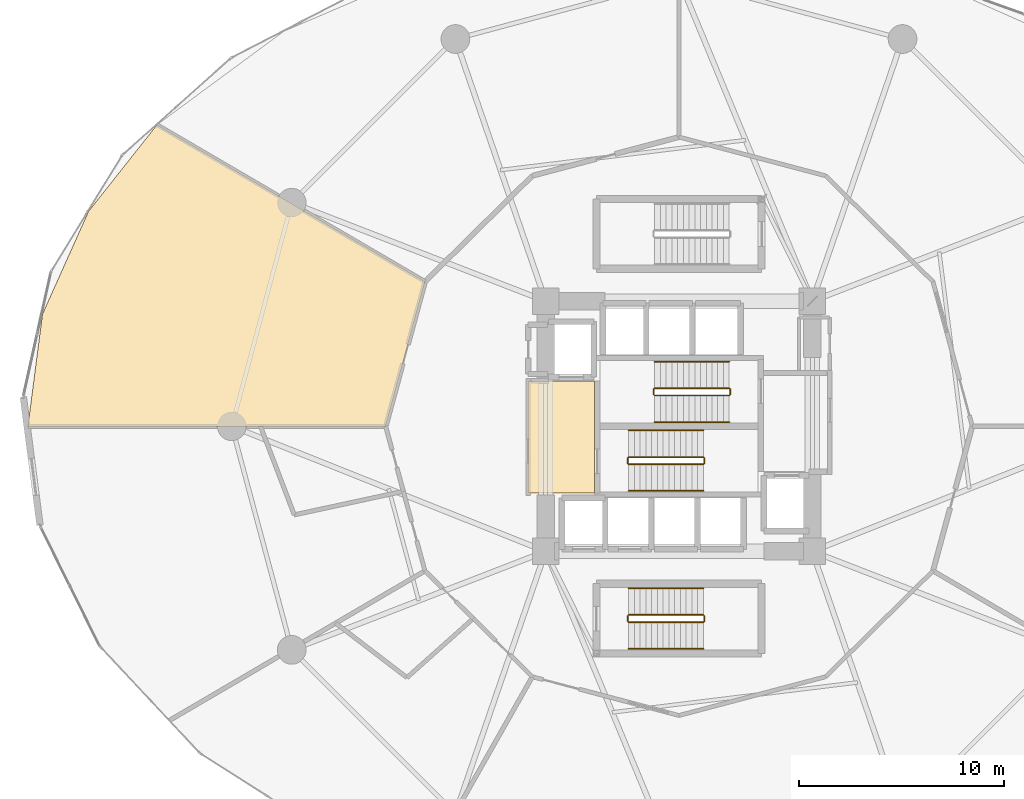
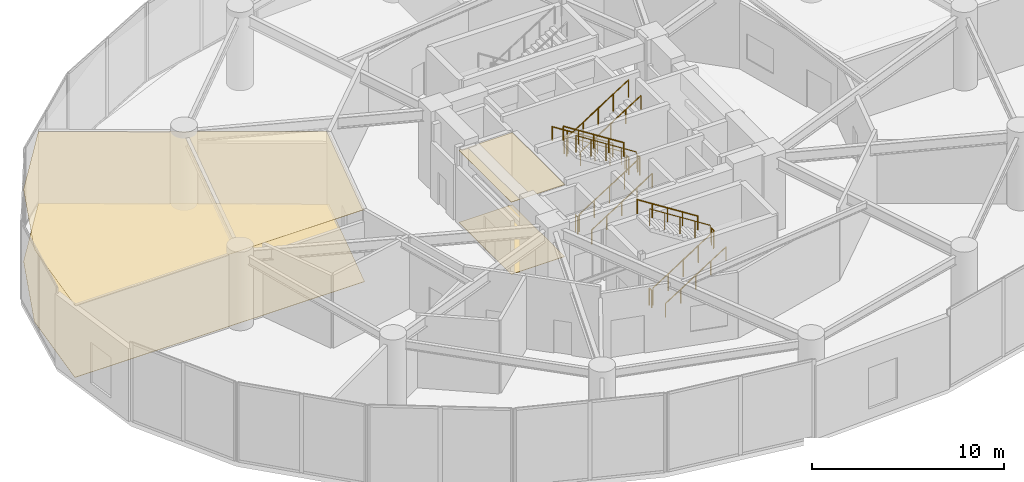
# One storey, part 29 of 31: 18 railings, 4 coverings.
"""IFC4 building model written with IfcOpenShell, lengths in metres."""

import ifcopenshell
import ifcopenshell.guid

model = None  # the IFC model being written
_history = None  # IfcOwnerHistory: only IFC2X3 demands one
_inside = {}  # id of a spatial element -> (the spatial element, [elements in it])
_under = {}  # id of a project, library or spatial element -> (it, [spatial elements below it])
_declared = {}  # id of a project -> (the project, [libraries it declares])
_typed = {}  # id of a type object -> (the type object, [elements of that type])
_made_of = {}  # id of a material, layer set ... -> (it, [elements and type objects made of it])


def new_model(schema):
    """Start an empty IFC model of exactly this schema.

    Asked for "IFC4X3", IfcOpenShell would pick the latest addendum, in which some entities
    have other attributes; the version numbers below select the first issue.
    IFC2X3 requires an IfcOwnerHistory on every rooted entity: one is made here for all.
    """
    global model, _history
    if schema == "IFC4X3":
        model = ifcopenshell.file(schema_version=(4, 3, 0, 0))
    else:
        model = ifcopenshell.file(schema=schema)
    _inside.clear()
    _under.clear()
    _declared.clear()
    _typed.clear()
    _made_of.clear()
    _history = None
    if model.schema == "IFC2X3":
        org = make("IfcOrganization", Name="unknown")
        user = make(
            "IfcPersonAndOrganization",
            ThePerson=make("IfcPerson", FamilyName="unknown"),
            TheOrganization=org,
        )
        app = make(
            "IfcApplication",
            ApplicationDeveloper=org,
            Version="unknown",
            ApplicationFullName="unknown",
            ApplicationIdentifier="unknown",
        )
        _history = make(
            "IfcOwnerHistory",
            OwningUser=user,
            OwningApplication=app,
            ChangeAction="ADDED",
            CreationDate=0,
        )
    return model


def make(cls, **values):
    """One entity of the class cls with the attributes given. An attribute that is None is left unset."""
    return model.create_entity(
        cls, **{name: value for name, value in values.items() if value is not None}
    )


def rooted(cls, **values):
    """An entity with a GlobalId (a new one), such as an element, a storey or a relation."""
    return make(cls, GlobalId=ifcopenshell.guid.new(), OwnerHistory=_history, **values)


def si_unit(unit_type, name, prefix=None):
    """IfcSIUnit, for example si_unit("LENGTHUNIT", "METRE", prefix="MILLI")."""
    return make("IfcSIUnit", UnitType=unit_type, Prefix=prefix, Name=name)


def assignment(units):
    """IfcUnitAssignment: the units of a project."""
    return None if units is None else make("IfcUnitAssignment", Units=units)


def point(xyz):
    """IfcCartesianPoint."""
    return None if xyz is None else make("IfcCartesianPoint", Coordinates=xyz)


def direction(xyz):
    """IfcDirection."""
    return None if xyz is None else make("IfcDirection", DirectionRatios=xyz)


def frame(location, z_axis=None, x_axis=None):
    """IfcAxis2Placement3D, a coordinate frame: its origin and axes. An axis left out is left unset."""
    return make(
        "IfcAxis2Placement3D",
        Location=point(location),
        Axis=direction(z_axis),
        RefDirection=direction(x_axis),
    )


def frame_2d(location, x_axis=None):
    """IfcAxis2Placement2D, a coordinate frame in the plane: its origin and x axis."""
    return make(
        "IfcAxis2Placement2D", Location=point(location), RefDirection=direction(x_axis)
    )


def origin():
    """The frame at (0, 0, 0) with its axes left unset."""
    return frame((0.0, 0.0, 0.0))


def origin_2d():
    """The frame at (0, 0) in the plane with its x axis left unset."""
    return frame_2d((0.0, 0.0))


def place(relative_to, where):
    """IfcLocalPlacement: puts the frame where relative to a parent placement (None: the world)."""
    return make(
        "IfcLocalPlacement", PlacementRelTo=relative_to, RelativePlacement=where
    )


def context(
    kind, dimensions, precision=None, world=None, true_north=None, identifier=None
):
    """IfcGeometricRepresentationContext, for example the 3D "Model" context."""
    return make(
        "IfcGeometricRepresentationContext",
        ContextIdentifier=identifier,
        ContextType=kind,
        CoordinateSpaceDimension=dimensions,
        Precision=precision,
        WorldCoordinateSystem=world,
        TrueNorth=true_north,
    )


def subcontext(parent, identifier, kind, view, scale=None):
    """IfcGeometricRepresentationSubContext, for example "Body" below "Model"."""
    return make(
        "IfcGeometricRepresentationSubContext",
        ContextIdentifier=identifier,
        ContextType=kind,
        ParentContext=parent,
        TargetScale=scale,
        TargetView=view,
    )


def project(units=None, contexts=None):
    """IfcProject with its units and contexts."""
    return rooted(
        "IfcProject",
        Name="project",
        RepresentationContexts=contexts,
        UnitsInContext=assignment(units),
    )


def spatial(cls, under=None, at=None, **own):
    """A site, building, storey or space (cls), placed at a placement, below another one or the project."""
    s = rooted(cls, ObjectPlacement=at, **own)
    if under is not None:
        _under.setdefault(under.id(), (under, []))[1].append(s)
    return s


def polyline(points):
    """IfcPolyline through the points."""
    return make("IfcPolyline", Points=[point(p) for p in points])


def profile(cls, at=None, kind="AREA", **sizes):
    """A parametric profile (cls). Its sizes go by their IFC names, for example OverallWidth=200.0."""
    return make(cls, ProfileType=kind, Position=at, **sizes)


def circle(**sizes):
    """IfcCircleProfileDef."""
    return profile("IfcCircleProfileDef", **sizes)


def outline(outer, holes=None, kind="AREA"):
    """IfcArbitraryClosedProfileDef: a profile drawn as a closed curve; with holes, ...WithVoids."""
    if holes is None:
        return make("IfcArbitraryClosedProfileDef", ProfileType=kind, OuterCurve=outer)
    return make(
        "IfcArbitraryProfileDefWithVoids",
        ProfileType=kind,
        OuterCurve=outer,
        InnerCurves=holes,
    )


def extrude(swept, where, along, depth):
    """IfcExtrudedAreaSolid: the profile swept, set in the frame where, extruded along a direction by depth."""
    return make(
        "IfcExtrudedAreaSolid",
        SweptArea=swept,
        Position=where,
        ExtrudedDirection=direction(along),
        Depth=depth,
    )


def shape(context_of_items, identifier, shape_type, items):
    """IfcShapeRepresentation: the items that make up one representation, for example the "Body"."""
    return make(
        "IfcShapeRepresentation",
        ContextOfItems=context_of_items,
        RepresentationIdentifier=identifier,
        RepresentationType=shape_type,
        Items=items,
    )


def material(Name=None, Category=None):
    """IfcMaterial."""
    return make("IfcMaterial", Name=Name, Category=Category)


def layer(
    of_material, thickness, ventilated=None, Name=None, Category=None, Priority=None
):
    """IfcMaterialLayer: one layer of a wall or slab, of a material (None: an air gap)."""
    return make(
        "IfcMaterialLayer",
        Material=of_material,
        LayerThickness=thickness,
        IsVentilated=ventilated,
        Name=Name,
        Category=Category,
        Priority=Priority,
    )


def layer_set(layers, Name=None):
    """IfcMaterialLayerSet."""
    return make("IfcMaterialLayerSet", MaterialLayers=layers, LayerSetName=Name)


def made_of(thing, what):
    """Note that an element or type object is made of a material, layer set ...; save() writes the relation."""
    if what is not None:
        _made_of.setdefault(what.id(), (what, []))[1].append(thing)
    return thing


def type_object(cls, material=None, **own):
    """A type object (cls), such as IfcWallType, which elements share."""
    return made_of(rooted(cls, **own), material)


def element(
    cls,
    number,
    at=None,
    inside=None,
    cuts=None,
    type_object=None,
    material=None,
    context=None,
    identifier="Body",
    shape_type=None,
    held_by="IfcProductDefinitionShape",
    body=None,
    shapes=None,
    **own,
):
    """One element of the class cls, such as IfcWall. Its Tag is "e" and its number.

    at: its placement. inside: the storey or other place that contains it. cuts: it is an
    opening in that element (IfcRelVoidsElement). A single representation is given by context,
    identifier, shape_type and body (its items); several are given by shapes. held_by: the class
    of the entity that holds the representations. save() writes the other relations.
    """
    e = rooted(cls, Tag="e%d" % number, ObjectPlacement=at, **own)
    if body is not None:
        shapes = [shape(context, identifier, shape_type, body)]
    if shapes is not None:
        e.Representation = make(held_by, Representations=shapes)
    if inside is not None:
        _inside.setdefault(inside.id(), (inside, []))[1].append(e)
    if cuts is not None:
        rooted(
            "IfcRelVoidsElement", RelatingBuildingElement=cuts, RelatedOpeningElement=e
        )
    if type_object is not None:
        _typed.setdefault(type_object.id(), (type_object, []))[1].append(e)
    return made_of(e, material)


def aggregate(whole, parts):
    """IfcRelAggregates: a whole, such as a stair, and the parts it consists of."""
    return rooted("IfcRelAggregates", RelatingObject=whole, RelatedObjects=parts)


def save(model, path):
    """Write the relations noted so far, then the file.

    IfcRelAggregates (storeys below a building ...), IfcRelContainedInSpatialStructure (elements
    in a storey), IfcRelDefinesByType, IfcRelAssociatesMaterial and IfcRelDeclares: one each for
    every whole, place, type object, material and project.
    """
    for whole, parts in _under.values():
        aggregate(whole, parts)
    for where, things in _inside.values():
        rooted(
            "IfcRelContainedInSpatialStructure",
            RelatedElements=things,
            RelatingStructure=where,
        )
    for kind, things in _typed.values():
        rooted("IfcRelDefinesByType", RelatedObjects=things, RelatingType=kind)
    for what, things in _made_of.values():
        rooted("IfcRelAssociatesMaterial", RelatedObjects=things, RelatingMaterial=what)
    for by, libraries in _declared.values():
        rooted("IfcRelDeclares", RelatingContext=by, RelatedDefinitions=libraries)
    model.write(path)


model = new_model("IFC4")

# Units and contexts
model_context = context("Model", 3, precision=1e-05, world=origin(), true_north=direction((0.0, 1.0)))
body_context = subcontext(model_context, "Body", "Model", "MODEL_VIEW")
ifc_project = project(units=[si_unit("LENGTHUNIT", "METRE"), si_unit("AREAUNIT", "SQUARE_METRE"), si_unit("VOLUMEUNIT", "CUBIC_METRE"), si_unit("PLANEANGLEUNIT", "RADIAN"), si_unit("MASSUNIT", "GRAM", prefix="KILO")], contexts=[model_context])

# Site, building, storey
site_placement = place(None, origin())
site = spatial("IfcSite", under=ifc_project, at=site_placement, CompositionType="ELEMENT")
building_placement = place(site_placement, origin())
building = spatial("IfcBuilding", under=site, at=building_placement, Name="Solvirekh Grand Hotel", CompositionType="ELEMENT")
storey_placement = place(building_placement, frame((0.0, 0.0, 18.60009765625)))
storey = spatial("IfcBuildingStorey", under=building, at=storey_placement, Name="L03", CompositionType="ELEMENT", Elevation=18.60009765625)

# Coverings
ifc_material_1 = material(Name="Acoustic Mineral Ceiling Tile")
ifc_layer_1 = layer(ifc_material_1, 0.02490234375)
ifc_layer_set_1 = layer_set([ifc_layer_1], Name="Acoustic Mineral Ceiling Tile")
covering_type_1 = type_object("IfcCoveringType", Name="Cov_Ceiling_Acoustic", PredefinedType="CEILING", material=ifc_layer_set_1)
covering_1_placement = place(storey_placement, frame((0.0, 0.0, 4.58984375)))
element("IfcCovering", 1, at=covering_1_placement, inside=storey, type_object=covering_type_1, Name="L03 Firefighting Lobby West acoustic ceiling", PredefinedType="CEILING", context=body_context, shape_type="SweptSolid", body=[
    extrude(outline(polyline([(-7.35009765625, -3.25), (-4.1298828125, -3.25), (-4.1298828125, 2.2099609375), (-7.35009765625, 2.2099609375), (-7.35009765625, -3.25)])), origin(), (0.0, 0.0, 1.0), 0.01806640625),
])
covering_2_placement = place(storey_placement, frame((0.0, 0.0, 4.58984375)))
element("IfcCovering", 2, at=covering_2_placement, inside=storey, type_object=covering_type_1, Name="L03 Business Centre & Press Secretariat acoustic ceiling", PredefinedType="CEILING", context=body_context, shape_type="SweptSolid", body=[
    extrude(outline(polyline([(-25.449951171875, 14.693115234375), (-28.785888671875, 10.47705078125), (-31.030029296875, 5.470947265625), (-31.741943359375, 0.0), (-14.300048828125, 0.0), (-12.384033203125, 7.050048828125), (-25.449951171875, 14.693115234375)])), origin(), (0.0, 0.0, 1.0), 0.01806640625),
])
ifc_material_2 = material(Name="Porcelain Stoneware Flooring", Category="masonry")
ifc_layer_2 = layer(ifc_material_2, 0.030029296875)
ifc_layer_set_2 = layer_set([ifc_layer_2], Name="Porcelain Stoneware Flooring")
covering_type_2 = type_object("IfcCoveringType", Name="Cov_Floor_Stone", PredefinedType="FLOORING", material=ifc_layer_set_2)
covering_3_placement = place(storey_placement, origin())
element("IfcCovering", 3, at=covering_3_placement, inside=storey, type_object=covering_type_2, Name="L03 Firefighting Lobby West polished granite flooring", PredefinedType="FLOORING", context=body_context, shape_type="SweptSolid", body=[
    extrude(outline(polyline([(-7.35009765625, -3.25), (-4.1298828125, -3.25), (-4.1298828125, 2.2099609375), (-7.35009765625, 2.2099609375), (-7.35009765625, -3.25)])), origin(), (0.0, 0.0, 1.0), 0.02001953125),
])
covering_4_placement = place(storey_placement, origin())
element("IfcCovering", 4, at=covering_4_placement, inside=storey, type_object=covering_type_2, Name="L03 Business Centre & Press Secretariat polished granite flooring", PredefinedType="FLOORING", context=body_context, shape_type="SweptSolid", body=[
    extrude(outline(polyline([(-25.449951171875, 14.693115234375), (-28.785888671875, 10.47705078125), (-31.030029296875, 5.470947265625), (-31.741943359375, 0.0), (-14.300048828125, 0.0), (-12.384033203125, 7.050048828125), (-25.449951171875, 14.693115234375)])), origin(), (0.0, 0.0, 1.0), 0.02001953125),
])

# Railings
ifc_material_3 = material(Name="Steel S355", Category="steel")
railing_type_1 = type_object("IfcRailingType", Name="Guard_Stair_1100", PredefinedType="GUARDRAIL", material=ifc_material_3)
railing_1_placement = place(storey_placement, frame((-2.449951171875, -1.85009765625, 0.178466796875)))
element("IfcRailing", 5, at=railing_1_placement, inside=storey, type_object=railing_type_1, Name="L03 ST-1 stair guard 1", PredefinedType="GUARDRAIL", context=body_context, shape_type="SweptSolid", body=[
    extrude(circle(Radius=0.02392578125, at=origin_2d()), frame((0.0, 0.0, 1.076171875), z_axis=(0.843111507901, 0.0, 0.53773877045), x_axis=(0.0, 1.0, 0.0)), (0.0, 0.0, 1.0), 4.317138671875),
    extrude(circle(Radius=0.02099609375, at=origin_2d()), origin(), (0.0, 0.0, 1.0), 1.052001953125),
    extrude(circle(Radius=0.02099609375, at=origin_2d()), frame((0.909912109375, 0.0, 0.580322265625)), (0.0, 0.0, 1.0), 1.052001953125),
    extrude(circle(Radius=0.02099609375, at=origin_2d()), frame((1.81982421875, 0.0, 1.16064453125)), (0.0, 0.0, 1.0), 1.052001953125),
    extrude(circle(Radius=0.02099609375, at=origin_2d()), frame((2.72998046875, 0.0, 1.7412109375)), (0.0, 0.0, 1.0), 1.052001953125),
    extrude(circle(Radius=0.02099609375, at=origin_2d()), frame((3.639892578125, 0.0, 2.321533203125)), (0.0, 0.0, 1.0), 1.052001953125),
])
railing_2_placement = place(storey_placement, frame((1.239990234375, -1.800048828125, 2.5)))
element("IfcRailing", 6, at=railing_2_placement, inside=storey, type_object=railing_type_1, Name="L03 ST-1 stair guard 2", PredefinedType="GUARDRAIL", context=body_context, shape_type="SweptSolid", body=[
    extrude(circle(Radius=0.02392578125, at=origin_2d()), frame((0.0, 0.0, 1.076171875), z_axis=(0.0, 1.0, 0.0), x_axis=(-1.0, 0.0, 0.0)), (0.0, 0.0, 1.0), 0.25),
    extrude(circle(Radius=0.02099609375, at=origin_2d()), origin(), (0.0, 0.0, 1.0), 1.052001953125),
    extrude(circle(Radius=0.02099609375, at=origin_2d()), frame((0.0, 0.25, 0.0)), (0.0, 0.0, 1.0), 1.052001953125),
])
railing_3_placement = place(storey_placement, frame((1.18994140625, -1.5, 2.678466796875)))
element("IfcRailing", 7, at=railing_3_placement, inside=storey, type_object=railing_type_1, Name="L03 ST-1 stair guard 3", PredefinedType="GUARDRAIL", context=body_context, shape_type="SweptSolid", body=[
    extrude(circle(Radius=0.02392578125, at=origin_2d()), frame((0.0, 0.0, 1.076171875), z_axis=(-0.843111507901, 0.0, 0.53773877045), x_axis=(0.0, -1.0, 0.0)), (0.0, 0.0, 1.0), 4.317138671875),
    extrude(circle(Radius=0.02099609375, at=origin_2d()), origin(), (0.0, 0.0, 1.0), 1.052001953125),
    extrude(circle(Radius=0.02099609375, at=origin_2d()), frame((-0.909912109375, 0.0, 0.580322265625)), (0.0, 0.0, 1.0), 1.052001953125),
    extrude(circle(Radius=0.02099609375, at=origin_2d()), frame((-1.81982421875, 0.0, 1.16064453125)), (0.0, 0.0, 1.0), 1.052001953125),
    extrude(circle(Radius=0.02099609375, at=origin_2d()), frame((-2.72998046875, 0.0, 1.7412109375)), (0.0, 0.0, 1.0), 1.052001953125),
    extrude(circle(Radius=0.02099609375, at=origin_2d()), frame((-3.639892578125, 0.0, 2.321533203125)), (0.0, 0.0, 1.0), 1.052001953125),
])
railing_4_placement = place(storey_placement, frame((-2.5, -1.800048828125, 0.0)))
element("IfcRailing", 8, at=railing_4_placement, inside=storey, type_object=railing_type_1, Name="L03 ST-1 stair guard 4", PredefinedType="GUARDRAIL", context=body_context, shape_type="SweptSolid", body=[
    extrude(circle(Radius=0.02392578125, at=origin_2d()), frame((0.0, 0.0, 1.076171875), z_axis=(0.0, 1.0, 0.0), x_axis=(-1.0, 0.0, 0.0)), (0.0, 0.0, 1.0), 0.25),
    extrude(circle(Radius=0.02099609375, at=origin_2d()), origin(), (0.0, 0.0, 1.0), 1.052001953125),
    extrude(circle(Radius=0.02099609375, at=origin_2d()), frame((0.0, 0.25, 0.0)), (0.0, 0.0, 1.0), 1.052001953125),
])
railing_5_placement = place(storey_placement, frame((2.449951171875, 1.85009765625, 0.178466796875)))
element("IfcRailing", 9, at=railing_5_placement, inside=storey, type_object=railing_type_1, Name="L03 ST-2 stair guard 1", PredefinedType="GUARDRAIL", context=body_context, shape_type="SweptSolid", body=[
    extrude(circle(Radius=0.02392578125, at=origin_2d()), frame((0.0, 0.0, 1.076171875), z_axis=(-0.843111507901, 0.0, 0.53773877045), x_axis=(0.0, -1.0, 0.0)), (0.0, 0.0, 1.0), 4.317138671875),
    extrude(circle(Radius=0.02099609375, at=origin_2d()), origin(), (0.0, 0.0, 1.0), 1.052001953125),
    extrude(circle(Radius=0.02099609375, at=origin_2d()), frame((-0.909912109375, 0.0, 0.580322265625)), (0.0, 0.0, 1.0), 1.052001953125),
    extrude(circle(Radius=0.02099609375, at=origin_2d()), frame((-1.81982421875, 0.0, 1.16064453125)), (0.0, 0.0, 1.0), 1.052001953125),
    extrude(circle(Radius=0.02099609375, at=origin_2d()), frame((-2.72998046875, 0.0, 1.7412109375)), (0.0, 0.0, 1.0), 1.052001953125),
    extrude(circle(Radius=0.02099609375, at=origin_2d()), frame((-3.639892578125, 0.0, 2.321533203125)), (0.0, 0.0, 1.0), 1.052001953125),
])
railing_6_placement = place(storey_placement, frame((-1.239990234375, 1.800048828125, 2.5)))
element("IfcRailing", 10, at=railing_6_placement, inside=storey, type_object=railing_type_1, Name="L03 ST-2 stair guard 2", PredefinedType="GUARDRAIL", context=body_context, shape_type="SweptSolid", body=[
    extrude(circle(Radius=0.02392578125, at=origin_2d()), frame((0.0, 0.0, 1.076171875), z_axis=(0.0, -1.0, 0.0), x_axis=(1.0, 0.0, 0.0)), (0.0, 0.0, 1.0), 0.25),
    extrude(circle(Radius=0.02099609375, at=origin_2d()), origin(), (0.0, 0.0, 1.0), 1.052001953125),
    extrude(circle(Radius=0.02099609375, at=origin_2d()), frame((0.0, -0.25, 0.0)), (0.0, 0.0, 1.0), 1.052001953125),
])
railing_7_placement = place(storey_placement, frame((-1.18994140625, 1.5, 2.678466796875)))
element("IfcRailing", 11, at=railing_7_placement, inside=storey, type_object=railing_type_1, Name="L03 ST-2 stair guard 3", PredefinedType="GUARDRAIL", context=body_context, shape_type="SweptSolid", body=[
    extrude(circle(Radius=0.02392578125, at=origin_2d()), frame((0.0, 0.0, 1.076171875), z_axis=(0.843111507901, 0.0, 0.53773877045), x_axis=(0.0, 1.0, 0.0)), (0.0, 0.0, 1.0), 4.317138671875),
    extrude(circle(Radius=0.02099609375, at=origin_2d()), origin(), (0.0, 0.0, 1.0), 1.052001953125),
    extrude(circle(Radius=0.02099609375, at=origin_2d()), frame((0.909912109375, 0.0, 0.580322265625)), (0.0, 0.0, 1.0), 1.052001953125),
    extrude(circle(Radius=0.02099609375, at=origin_2d()), frame((1.81982421875, 0.0, 1.16064453125)), (0.0, 0.0, 1.0), 1.052001953125),
    extrude(circle(Radius=0.02099609375, at=origin_2d()), frame((2.72998046875, 0.0, 1.7412109375)), (0.0, 0.0, 1.0), 1.052001953125),
    extrude(circle(Radius=0.02099609375, at=origin_2d()), frame((3.639892578125, 0.0, 2.321533203125)), (0.0, 0.0, 1.0), 1.052001953125),
])
railing_8_placement = place(storey_placement, frame((2.5, 1.800048828125, 0.0)))
element("IfcRailing", 12, at=railing_8_placement, inside=storey, type_object=railing_type_1, Name="L03 ST-2 stair guard 4", PredefinedType="GUARDRAIL", context=body_context, shape_type="SweptSolid", body=[
    extrude(circle(Radius=0.02392578125, at=origin_2d()), frame((0.0, 0.0, 1.076171875), z_axis=(0.0, -1.0, 0.0), x_axis=(1.0, 0.0, 0.0)), (0.0, 0.0, 1.0), 0.25),
    extrude(circle(Radius=0.02099609375, at=origin_2d()), origin(), (0.0, 0.0, 1.0), 1.052001953125),
    extrude(circle(Radius=0.02099609375, at=origin_2d()), frame((0.0, -0.25, 0.0)), (0.0, 0.0, 1.0), 1.052001953125),
])
railing_9_placement = place(storey_placement, frame((-2.449951171875, -9.550048828125, 0.178466796875)))
element("IfcRailing", 13, at=railing_9_placement, inside=storey, type_object=railing_type_1, Name="L03 ST-3 stair guard 1", PredefinedType="GUARDRAIL", context=body_context, shape_type="SweptSolid", body=[
    extrude(circle(Radius=0.02392578125, at=origin_2d()), frame((0.0, 0.0, 1.076171875), z_axis=(0.843111507901, 0.0, 0.53773877045), x_axis=(0.0, 1.0, 0.0)), (0.0, 0.0, 1.0), 4.317138671875),
    extrude(circle(Radius=0.02099609375, at=origin_2d()), origin(), (0.0, 0.0, 1.0), 1.052001953125),
    extrude(circle(Radius=0.02099609375, at=origin_2d()), frame((0.909912109375, 0.0, 0.580322265625)), (0.0, 0.0, 1.0), 1.052001953125),
    extrude(circle(Radius=0.02099609375, at=origin_2d()), frame((1.81982421875, 0.0, 1.16064453125)), (0.0, 0.0, 1.0), 1.052001953125),
    extrude(circle(Radius=0.02099609375, at=origin_2d()), frame((2.72998046875, 0.0, 1.7412109375)), (0.0, 0.0, 1.0), 1.052001953125),
    extrude(circle(Radius=0.02099609375, at=origin_2d()), frame((3.639892578125, 0.0, 2.321533203125)), (0.0, 0.0, 1.0), 1.052001953125),
])
railing_10_placement = place(storey_placement, frame((1.239990234375, -9.5, 2.5)))
element("IfcRailing", 14, at=railing_10_placement, inside=storey, type_object=railing_type_1, Name="L03 ST-3 stair guard 2", PredefinedType="GUARDRAIL", context=body_context, shape_type="SweptSolid", body=[
    extrude(circle(Radius=0.02392578125, at=origin_2d()), frame((0.0, 0.0, 1.076171875), z_axis=(0.0, 1.0, 0.0), x_axis=(-1.0, 0.0, 0.0)), (0.0, 0.0, 1.0), 0.25),
    extrude(circle(Radius=0.02099609375, at=origin_2d()), origin(), (0.0, 0.0, 1.0), 1.052001953125),
    extrude(circle(Radius=0.02099609375, at=origin_2d()), frame((0.0, 0.25, 0.0)), (0.0, 0.0, 1.0), 1.052001953125),
])
railing_11_placement = place(storey_placement, frame((1.18994140625, -9.199951171875, 2.678466796875)))
element("IfcRailing", 15, at=railing_11_placement, inside=storey, type_object=railing_type_1, Name="L03 ST-3 stair guard 3", PredefinedType="GUARDRAIL", context=body_context, shape_type="SweptSolid", body=[
    extrude(circle(Radius=0.02392578125, at=origin_2d()), frame((0.0, 0.0, 1.076171875), z_axis=(-0.843111507901, 0.0, 0.53773877045), x_axis=(0.0, -1.0, 0.0)), (0.0, 0.0, 1.0), 4.317138671875),
    extrude(circle(Radius=0.02099609375, at=origin_2d()), origin(), (0.0, 0.0, 1.0), 1.052001953125),
    extrude(circle(Radius=0.02099609375, at=origin_2d()), frame((-0.909912109375, 0.0, 0.580322265625)), (0.0, 0.0, 1.0), 1.052001953125),
    extrude(circle(Radius=0.02099609375, at=origin_2d()), frame((-1.81982421875, 0.0, 1.16064453125)), (0.0, 0.0, 1.0), 1.052001953125),
    extrude(circle(Radius=0.02099609375, at=origin_2d()), frame((-2.72998046875, 0.0, 1.7412109375)), (0.0, 0.0, 1.0), 1.052001953125),
    extrude(circle(Radius=0.02099609375, at=origin_2d()), frame((-3.639892578125, 0.0, 2.321533203125)), (0.0, 0.0, 1.0), 1.052001953125),
])
railing_12_placement = place(storey_placement, frame((-2.5, -9.5, 0.0)))
element("IfcRailing", 16, at=railing_12_placement, inside=storey, type_object=railing_type_1, Name="L03 ST-3 stair guard 4", PredefinedType="GUARDRAIL", context=body_context, shape_type="SweptSolid", body=[
    extrude(circle(Radius=0.02392578125, at=origin_2d()), frame((0.0, 0.0, 1.076171875), z_axis=(0.0, 1.0, 0.0), x_axis=(-1.0, 0.0, 0.0)), (0.0, 0.0, 1.0), 0.25),
    extrude(circle(Radius=0.02099609375, at=origin_2d()), origin(), (0.0, 0.0, 1.0), 1.052001953125),
    extrude(circle(Radius=0.02099609375, at=origin_2d()), frame((0.0, 0.25, 0.0)), (0.0, 0.0, 1.0), 1.052001953125),
])
ifc_material_4 = material(Name="Anodized Bronze Aluminium 6063-T6", Category="aluminium")
railing_type_2 = type_object("IfcRailingType", Name="Handrail_Wall_900", PredefinedType="HANDRAIL", material=ifc_material_4)
railing_13_placement = place(storey_placement, frame((-2.449951171875, -3.14990234375, 0.178466796875)))
element("IfcRailing", 17, at=railing_13_placement, inside=storey, type_object=railing_type_2, Name="L03 ST-1 stair handrail 1", PredefinedType="HANDRAIL", context=body_context, shape_type="SweptSolid", body=[
    extrude(circle(Radius=0.02392578125, at=origin_2d()), frame((0.0, 0.0, 0.8759765625), z_axis=(0.843111507901, 0.0, 0.53773877045), x_axis=(0.0, 1.0, 0.0)), (0.0, 0.0, 1.0), 4.317138671875),
    extrude(circle(Radius=0.02099609375, at=origin_2d()), origin(), (0.0, 0.0, 1.0), 0.851806640625),
    extrude(circle(Radius=0.02099609375, at=origin_2d()), frame((0.909912109375, 0.0, 0.580322265625)), (0.0, 0.0, 1.0), 0.851806640625),
    extrude(circle(Radius=0.02099609375, at=origin_2d()), frame((1.81982421875, 0.0, 1.16064453125)), (0.0, 0.0, 1.0), 0.851806640625),
    extrude(circle(Radius=0.02099609375, at=origin_2d()), frame((2.72998046875, 0.0, 1.7412109375)), (0.0, 0.0, 1.0), 0.851806640625),
    extrude(circle(Radius=0.02099609375, at=origin_2d()), frame((3.639892578125, 0.0, 2.321533203125)), (0.0, 0.0, 1.0), 0.851806640625),
])
for number, where, name in (
    (18, (1.18994140625, -0.199951171875, 2.678466796875), "L03 ST-1 stair handrail 2"),
    (19, (2.449951171875, 3.14990234375, 0.178466796875), "L03 ST-2 stair handrail 1"),
):
    element("IfcRailing", number, at=place(storey_placement, frame(where)), inside=storey, type_object=railing_type_2, Name=name, PredefinedType="HANDRAIL", context=body_context, shape_type="SweptSolid", body=[
        extrude(circle(Radius=0.02392578125, at=origin_2d()), frame((0.0, 0.0, 0.8759765625), z_axis=(-0.843111507901, 0.0, 0.53773877045), x_axis=(0.0, -1.0, 0.0)), (0.0, 0.0, 1.0), 4.317138671875),
        extrude(circle(Radius=0.02099609375, at=origin_2d()), origin(), (0.0, 0.0, 1.0), 0.851806640625),
        extrude(circle(Radius=0.02099609375, at=origin_2d()), frame((-0.909912109375, 0.0, 0.580322265625)), (0.0, 0.0, 1.0), 0.851806640625),
        extrude(circle(Radius=0.02099609375, at=origin_2d()), frame((-1.81982421875, 0.0, 1.16064453125)), (0.0, 0.0, 1.0), 0.851806640625),
        extrude(circle(Radius=0.02099609375, at=origin_2d()), frame((-2.72998046875, 0.0, 1.7412109375)), (0.0, 0.0, 1.0), 0.851806640625),
        extrude(circle(Radius=0.02099609375, at=origin_2d()), frame((-3.639892578125, 0.0, 2.321533203125)), (0.0, 0.0, 1.0), 0.851806640625),
    ])
for number, where, name in (
    (20, (-1.18994140625, 0.199951171875, 2.678466796875), "L03 ST-2 stair handrail 2"),
    (21, (-2.449951171875, -10.85009765625, 0.178466796875), "L03 ST-3 stair handrail 1"),
):
    element("IfcRailing", number, at=place(storey_placement, frame(where)), inside=storey, type_object=railing_type_2, Name=name, PredefinedType="HANDRAIL", context=body_context, shape_type="SweptSolid", body=[
        extrude(circle(Radius=0.02392578125, at=origin_2d()), frame((0.0, 0.0, 0.8759765625), z_axis=(0.843111507901, 0.0, 0.53773877045), x_axis=(0.0, 1.0, 0.0)), (0.0, 0.0, 1.0), 4.317138671875),
        extrude(circle(Radius=0.02099609375, at=origin_2d()), origin(), (0.0, 0.0, 1.0), 0.851806640625),
        extrude(circle(Radius=0.02099609375, at=origin_2d()), frame((0.909912109375, 0.0, 0.580322265625)), (0.0, 0.0, 1.0), 0.851806640625),
        extrude(circle(Radius=0.02099609375, at=origin_2d()), frame((1.81982421875, 0.0, 1.16064453125)), (0.0, 0.0, 1.0), 0.851806640625),
        extrude(circle(Radius=0.02099609375, at=origin_2d()), frame((2.72998046875, 0.0, 1.7412109375)), (0.0, 0.0, 1.0), 0.851806640625),
        extrude(circle(Radius=0.02099609375, at=origin_2d()), frame((3.639892578125, 0.0, 2.321533203125)), (0.0, 0.0, 1.0), 0.851806640625),
    ])
railing_14_placement = place(storey_placement, frame((1.18994140625, -7.89990234375, 2.678466796875)))
element("IfcRailing", 22, at=railing_14_placement, inside=storey, type_object=railing_type_2, Name="L03 ST-3 stair handrail 2", PredefinedType="HANDRAIL", context=body_context, shape_type="SweptSolid", body=[
    extrude(circle(Radius=0.02392578125, at=origin_2d()), frame((0.0, 0.0, 0.8759765625), z_axis=(-0.843111507901, 0.0, 0.53773877045), x_axis=(0.0, -1.0, 0.0)), (0.0, 0.0, 1.0), 4.317138671875),
    extrude(circle(Radius=0.02099609375, at=origin_2d()), origin(), (0.0, 0.0, 1.0), 0.851806640625),
    extrude(circle(Radius=0.02099609375, at=origin_2d()), frame((-0.909912109375, 0.0, 0.580322265625)), (0.0, 0.0, 1.0), 0.851806640625),
    extrude(circle(Radius=0.02099609375, at=origin_2d()), frame((-1.81982421875, 0.0, 1.16064453125)), (0.0, 0.0, 1.0), 0.851806640625),
    extrude(circle(Radius=0.02099609375, at=origin_2d()), frame((-2.72998046875, 0.0, 1.7412109375)), (0.0, 0.0, 1.0), 0.851806640625),
    extrude(circle(Radius=0.02099609375, at=origin_2d()), frame((-3.639892578125, 0.0, 2.321533203125)), (0.0, 0.0, 1.0), 0.851806640625),
])

save(model, "model.ifc")
